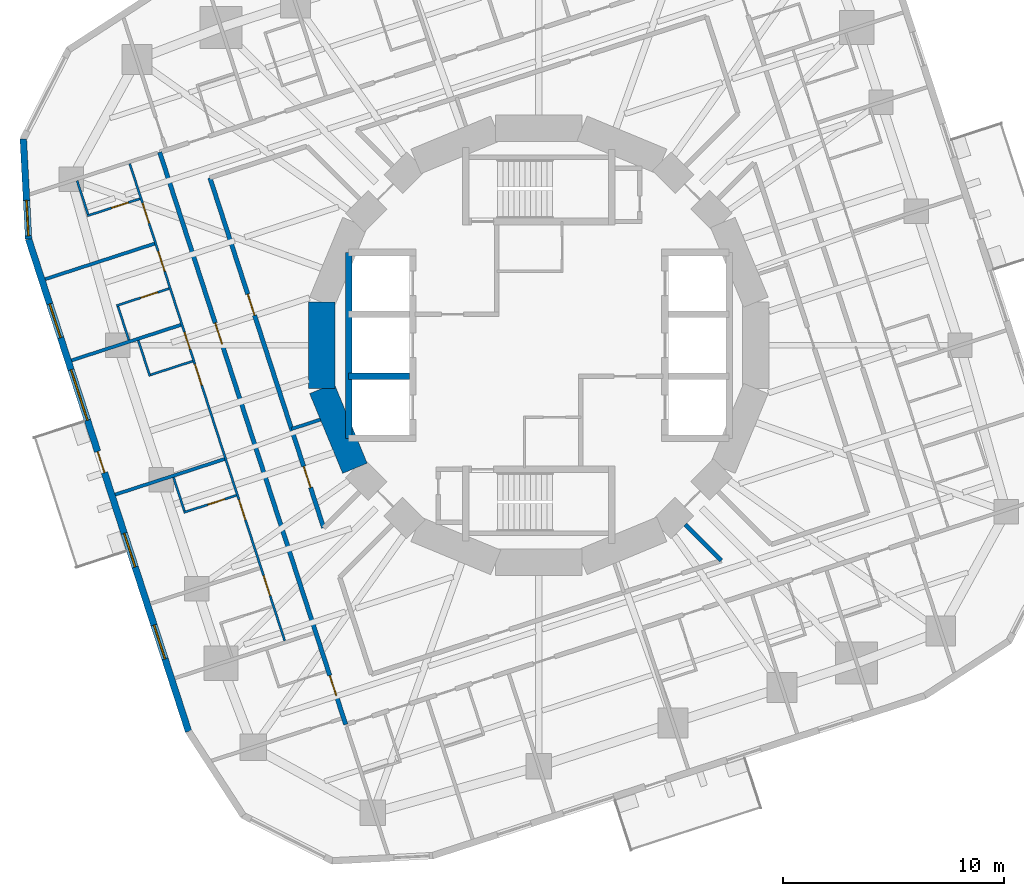
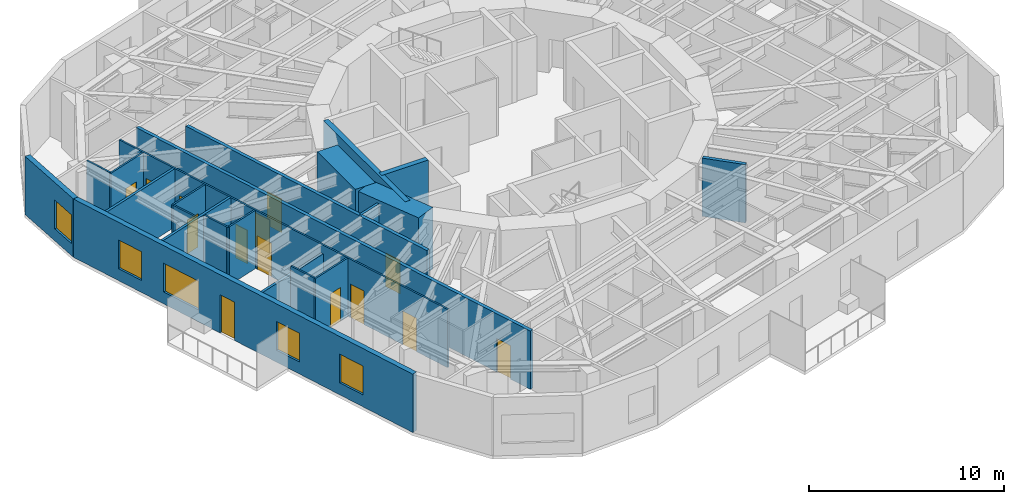
# One storey, part 5 of 12: 22 walls, 14 doors, 5 windows, 19 openings.
"""IFC4 building model written with IfcOpenShell, lengths in metres."""

from ifc_helpers import new_model, si_unit, direction, frame, frame_2d, origin, place, context, subcontext, project, spatial, rectangle, extrude, material, layer, layer_set, type_object, element, fill, save


model = new_model("IFC4")

# Units and contexts
model_context = context("Model", 3, precision=1e-05, world=origin(), true_north=direction((0.0, 1.0)))
body_context = subcontext(model_context, "Body", "Model", "MODEL_VIEW")
ifc_project = project(units=[si_unit("LENGTHUNIT", "METRE"), si_unit("AREAUNIT", "SQUARE_METRE"), si_unit("VOLUMEUNIT", "CUBIC_METRE"), si_unit("PLANEANGLEUNIT", "RADIAN"), si_unit("MASSUNIT", "GRAM", prefix="KILO")], contexts=[model_context])

# Site, building, storey
site_placement = place(None, origin())
site = spatial("IfcSite", under=ifc_project, at=site_placement, CompositionType="ELEMENT")
building_placement = place(site_placement, origin())
building = spatial("IfcBuilding", under=site, at=building_placement, Name="Nakasero Lantern House", CompositionType="ELEMENT")
storey_placement = place(building_placement, frame((0.0, 0.0, 172.60009765625)))
storey = spatial("IfcBuildingStorey", under=building, at=storey_placement, Name="L42", CompositionType="ELEMENT", Elevation=172.60009765625)

# Wall, openings, doors
ifc_material_1 = material(Name="Blockwork", Category="masonry")
ifc_layer_1 = layer(ifc_material_1, 0.10009765625)
ifc_layer_set_1 = layer_set([ifc_layer_1], Name="Cluster hall wall 100")
wall_type_1 = type_object("IfcWallType", Name="Cluster hall wall 100", PredefinedType="PARTITIONING", material=ifc_layer_set_1)
wall_1_placement = place(storey_placement, frame((-18.492919921875, 8.21240234375, 0.0), z_axis=(0.0, 0.0, 1.0), x_axis=(0.309014729931, -0.951057252055, 0.0)))
wall_1 = element("IfcWall", 1, at=wall_1_placement, inside=storey, type_object=wall_type_1, Name="Cluster hall wall L42 HW2-0", PredefinedType="PARTITIONING", context=body_context, shape_type="SweptSolid", body=[
    extrude(rectangle(XDim=22.67236328125, YDim=0.10009765625, at=frame_2d((11.336181640625, 0.0))), origin(), (0.0, 0.0, 1.0), 3.64990234375),
])
opening_1_placement = place(wall_1_placement, frame((9.532958984375, 0.0, 0.0)))
opening_1 = element("IfcOpeningElement", 2, at=opening_1_placement, cuts=wall_1, Name="Opening D03", PredefinedType="OPENING", context=body_context, shape_type="SweptSolid", body=[
    extrude(rectangle(XDim=1.0, YDim=2.10009765625, at=frame_2d((0.5, 1.050048828125))), frame((0.0, 0.070068359375, 0.0), z_axis=(0.0, -1.0, 0.0), x_axis=(1.0, 0.0, 0.0)), (0.0, 0.0, 1.0), 0.14013671875),
])
opening_2_placement = place(wall_1_placement, frame((8.01904296875, 0.0, 0.0)))
opening_2 = element("IfcOpeningElement", 3, at=opening_2_placement, cuts=wall_1, Name="Opening D02", PredefinedType="OPENING", context=body_context, shape_type="SweptSolid", body=[
    extrude(rectangle(XDim=0.800048828125, YDim=2.10009765625, at=frame_2d((0.39990234375, 1.050048828125))), frame((0.0, 0.070068359375, 0.0), z_axis=(0.0, -1.0, 0.0), x_axis=(1.0, 0.0, 0.0)), (0.0, 0.0, 1.0), 0.14013671875),
])
opening_3_placement = place(wall_1_placement, frame((1.875, 0.0, 0.0)))
opening_3 = element("IfcOpeningElement", 4, at=opening_3_placement, cuts=wall_1, Name="Opening D01", PredefinedType="OPENING", context=body_context, shape_type="SweptSolid", body=[
    extrude(rectangle(XDim=0.949951171875, YDim=2.10009765625, at=frame_2d((0.47509765625, 1.050048828125))), frame((0.0, 0.070068359375, 0.0), z_axis=(0.0, -1.0, 0.0), x_axis=(1.0, 0.0, 0.0)), (0.0, 0.0, 1.0), 0.14013671875),
])
opening_4_placement = place(wall_1_placement, frame((4.159423828125, 0.0, 0.0)))
opening_4 = element("IfcOpeningElement", 5, at=opening_4_placement, cuts=wall_1, Name="Opening D01", PredefinedType="OPENING", context=body_context, shape_type="SweptSolid", body=[
    extrude(rectangle(XDim=0.949951171875, YDim=2.10009765625, at=frame_2d((0.47509765625, 1.050048828125))), frame((0.0, 0.070068359375, 0.0), z_axis=(0.0, -1.0, 0.0), x_axis=(1.0, 0.0, 0.0)), (0.0, 0.0, 1.0), 0.14013671875),
])
opening_5_placement = place(wall_1_placement, frame((15.97216796875, 0.0, 0.0)))
opening_5 = element("IfcOpeningElement", 6, at=opening_5_placement, cuts=wall_1, Name="Opening D01", PredefinedType="OPENING", context=body_context, shape_type="SweptSolid", body=[
    extrude(rectangle(XDim=0.949951171875, YDim=2.10009765625, at=frame_2d((0.47509765625, 1.050048828125))), frame((0.0, 0.070068359375, 0.0), z_axis=(0.0, -1.0, 0.0), x_axis=(1.0, 0.0, 0.0)), (0.0, 0.0, 1.0), 0.14013671875),
])
opening_6_placement = place(wall_1_placement, frame((19.578125, 0.0, 0.0)))
opening_6 = element("IfcOpeningElement", 7, at=opening_6_placement, cuts=wall_1, Name="Opening D01", PredefinedType="OPENING", context=body_context, shape_type="SweptSolid", body=[
    extrude(rectangle(XDim=0.949951171875, YDim=2.10009765625, at=frame_2d((0.47509765625, 1.050048828125))), frame((0.0, 0.070068359375, 0.0), z_axis=(0.0, -1.0, 0.0), x_axis=(1.0, 0.0, 0.0)), (0.0, 0.0, 1.0), 0.14013671875),
])
ifc_material_2 = material(Name="Timber C24", Category="wood")
door_type_1 = type_object("IfcDoorType", Name="Bedroom door FD30S 950", OperationType="SINGLE_SWING_LEFT", PredefinedType="DOOR", material=ifc_material_2)
door_1_placement = place(opening_3_placement, origin())
door_1 = element("IfcDoor", 8, at=door_1_placement, inside=storey, type_object=door_type_1, Name="Door L42 D2-00", OperationType="SINGLE_SWING_LEFT", OverallHeight=2.10009765625, OverallWidth=0.949951171875, PredefinedType="DOOR", context=body_context, shape_type="SweptSolid", body=[
    extrude(rectangle(XDim=0.949951171875, YDim=2.10009765625, at=frame_2d((0.47509765625, 1.050048828125))), frame((0.0, 0.02490234375, 0.0), z_axis=(0.0, -1.0, 0.0), x_axis=(1.0, 0.0, 0.0)), (0.0, 0.0, 1.0), 0.050048828125),
])
fill(opening_3, door_1)
door_2_placement = place(opening_4_placement, origin())
door_2 = element("IfcDoor", 9, at=door_2_placement, inside=storey, type_object=door_type_1, Name="Door L42 D2-01", OperationType="SINGLE_SWING_LEFT", OverallHeight=2.10009765625, OverallWidth=0.949951171875, PredefinedType="DOOR", context=body_context, shape_type="SweptSolid", body=[
    extrude(rectangle(XDim=0.949951171875, YDim=2.10009765625, at=frame_2d((0.47509765625, 1.050048828125))), frame((0.0, 0.02490234375, 0.0), z_axis=(0.0, -1.0, 0.0), x_axis=(1.0, 0.0, 0.0)), (0.0, 0.0, 1.0), 0.050048828125),
])
fill(opening_4, door_2)
door_3_placement = place(opening_5_placement, origin())
door_3 = element("IfcDoor", 10, at=door_3_placement, inside=storey, type_object=door_type_1, Name="Door L42 D2-04", OperationType="SINGLE_SWING_RIGHT", OverallHeight=2.10009765625, OverallWidth=0.949951171875, PredefinedType="DOOR", context=body_context, shape_type="SweptSolid", body=[
    extrude(rectangle(XDim=0.949951171875, YDim=2.10009765625, at=frame_2d((0.47509765625, 1.050048828125))), frame((0.0, 0.02490234375, 0.0), z_axis=(0.0, -1.0, 0.0), x_axis=(1.0, 0.0, 0.0)), (0.0, 0.0, 1.0), 0.050048828125),
])
fill(opening_5, door_3)
door_4_placement = place(opening_6_placement, origin())
door_4 = element("IfcDoor", 11, at=door_4_placement, inside=storey, type_object=door_type_1, Name="Door L42 D2-05", OperationType="SINGLE_SWING_RIGHT", OverallHeight=2.10009765625, OverallWidth=0.949951171875, PredefinedType="DOOR", context=body_context, shape_type="SweptSolid", body=[
    extrude(rectangle(XDim=0.949951171875, YDim=2.10009765625, at=frame_2d((0.47509765625, 1.050048828125))), frame((0.0, 0.02490234375, 0.0), z_axis=(0.0, -1.0, 0.0), x_axis=(1.0, 0.0, 0.0)), (0.0, 0.0, 1.0), 0.050048828125),
])
fill(opening_6, door_4)
ifc_material_3 = material(Name="Timber C24", Category="wood")
door_type_2 = type_object("IfcDoorType", Name="En-suite door 800", OperationType="SINGLE_SWING_RIGHT", PredefinedType="DOOR", material=ifc_material_3)
door_5_placement = place(opening_2_placement, origin())
door_5 = element("IfcDoor", 12, at=door_5_placement, inside=storey, type_object=door_type_2, Name="Door L42 DSH2-0", OperationType="SINGLE_SWING_LEFT", OverallHeight=2.10009765625, OverallWidth=0.800048828125, PredefinedType="DOOR", context=body_context, shape_type="SweptSolid", body=[
    extrude(rectangle(XDim=0.800048828125, YDim=2.10009765625, at=frame_2d((0.39990234375, 1.050048828125))), frame((0.0, 0.02490234375, 0.0), z_axis=(0.0, -1.0, 0.0), x_axis=(1.0, 0.0, 0.0)), (0.0, 0.0, 1.0), 0.050048828125),
])
fill(opening_2, door_5)
ifc_material_4 = material(Name="Timber C24", Category="wood")
door_type_3 = type_object("IfcDoorType", Name="Lounge door FD30S 1000", OperationType="SINGLE_SWING_LEFT", PredefinedType="DOOR", material=ifc_material_4)
door_6_placement = place(opening_1_placement, origin())
door_6 = element("IfcDoor", 13, at=door_6_placement, inside=storey, type_object=door_type_3, Name="Door L42 DH2-0", OperationType="SINGLE_SWING_LEFT", OverallHeight=2.10009765625, OverallWidth=1.0, PredefinedType="DOOR", context=body_context, shape_type="SweptSolid", body=[
    extrude(rectangle(XDim=1.0, YDim=2.10009765625, at=frame_2d((0.5, 1.050048828125))), frame((0.0, 0.02490234375, 0.0), z_axis=(0.0, -1.0, 0.0), x_axis=(1.0, 0.0, 0.0)), (0.0, 0.0, 1.0), 0.050048828125),
])
fill(opening_1, door_6)

# Walls
ifc_material_5 = material(Name="Concrete C50/60", Category="concrete")
ifc_layer_2 = layer(ifc_material_5, 0.300048828125)
ifc_layer_set_2 = layer_set([ifc_layer_2], Name="Core inner wall 300")
wall_type_2 = type_object("IfcWallType", Name="Core inner wall 300", PredefinedType="SHEAR", material=ifc_layer_set_2)
wall_2_placement = place(storey_placement, frame((-8.60009765625, -4.199951171875, 0.0), z_axis=(0.0, 0.0, 1.0), x_axis=(0.0, 1.0, 0.0)))
element("IfcWall", 14, at=wall_2_placement, inside=storey, type_object=wall_type_2, Name="Core inner wall L42 LWB", PredefinedType="SHEAR", context=body_context, shape_type="SweptSolid", body=[
    extrude(rectangle(XDim=8.39990234375, YDim=0.300048828125, at=frame_2d((4.199951171875, 0.0))), origin(), (0.0, 0.0, 1.0), 3.849853515625),
])
wall_3_placement = place(storey_placement, frame((-8.60009765625, -1.39990234375, 0.0), z_axis=(0.0, 0.0, 1.0), x_axis=(1.0, 0.0, 0.0)))
element("IfcWall", 15, at=wall_3_placement, inside=storey, type_object=wall_type_2, Name="Core inner wall L42 LW1", PredefinedType="SHEAR", context=body_context, shape_type="SweptSolid", body=[
    extrude(rectangle(XDim=2.75, YDim=0.300048828125, at=frame_2d((1.375, 0.0))), origin(), (0.0, 0.0, 1.0), 3.849853515625),
])
ifc_material_6 = material(Name="Concrete C50/60", Category="concrete")
ifc_layer_3 = layer(ifc_material_6, 1.199951171875)
ifc_layer_set_3 = layer_set([ifc_layer_3], Name="Core wall 1200")
wall_type_3 = type_object("IfcWallType", Name="Core wall 1200", PredefinedType="SHEAR", material=ifc_layer_set_3)
for number, where, z_axis, x_axis, name in (
    (16, (-9.807861328125, 1.950927734375, 0.0), (0.0, 0.0, 1.0), (0.0, -1.0, 0.0), "Core wall L42 facet 8"),
    (17, (-9.807861328125, -1.950927734375, 0.0), (0.0, 0.0, 1.0), (0.382690736062, -0.923876507187, 0.0), "Core wall L42 facet 9"),
):
    element("IfcWall", number, at=place(storey_placement, frame(where, z_axis=z_axis, x_axis=x_axis)), inside=storey, type_object=wall_type_3, Name=name, PredefinedType="SHEAR", context=body_context, shape_type="SweptSolid", body=[
        extrude(rectangle(XDim=3.90185546875, YDim=1.199951171875, at=frame_2d((1.950927734375, 0.0))), origin(), (0.0, 0.0, 1.0), 3.849853515625),
    ])

# Wall, openings, doors
ifc_material_7 = material(Name="Blockwork", Category="masonry")
ifc_layer_4 = layer(ifc_material_7, 0.199951171875)
ifc_layer_set_4 = layer_set([ifc_layer_4], Name="Corridor wall 200")
wall_type_4 = type_object("IfcWallType", Name="Corridor wall 200", PredefinedType="PARTITIONING", material=ifc_layer_set_4)
wall_4_placement = place(storey_placement, frame((-17.136962890625, 8.731689453125, 0.0), z_axis=(0.0, 0.0, 1.0), x_axis=(0.309018283835, -0.951056097323, 0.0)))
wall_4 = element("IfcWall", 18, at=wall_4_placement, inside=storey, type_object=wall_type_4, Name="Corridor wall L42 CW2", PredefinedType="PARTITIONING", context=body_context, shape_type="SweptSolid", body=[
    extrude(rectangle(XDim=27.199951171875, YDim=0.199951171875, at=frame_2d((13.60009765625, 0.0))), origin(), (0.0, 0.0, 1.0), 3.64990234375),
])
opening_7_placement = place(wall_4_placement, frame((8.118896484375, 0.0, 0.0)))
opening_7 = element("IfcOpeningElement", 19, at=opening_7_placement, cuts=wall_4, Name="Opening D14", PredefinedType="OPENING", context=body_context, shape_type="SweptSolid", body=[
    extrude(rectangle(XDim=1.0, YDim=2.10009765625, at=frame_2d((0.5, 1.050048828125))), frame((0.0, 0.119873046875, 0.0), z_axis=(0.0, -1.0, 0.0), x_axis=(1.0, 0.0, 0.0)), (0.0, 0.0, 1.0), 0.239990234375),
])
opening_8_placement = place(wall_4_placement, frame((24.872314453125, 0.0, 0.0)))
opening_8 = element("IfcOpeningElement", 20, at=opening_8_placement, cuts=wall_4, Name="Opening D01", PredefinedType="OPENING", context=body_context, shape_type="SweptSolid", body=[
    extrude(rectangle(XDim=0.949951171875, YDim=2.10009765625, at=frame_2d((0.47509765625, 1.050048828125))), frame((0.0, 0.119873046875, 0.0), z_axis=(0.0, -1.0, 0.0), x_axis=(1.0, 0.0, 0.0)), (0.0, 0.0, 1.0), 0.239990234375),
])
door_7_placement = place(opening_8_placement, origin())
door_7 = element("IfcDoor", 21, at=door_7_placement, inside=storey, type_object=door_type_1, Name="Door L42 D2-06", OperationType="SINGLE_SWING_RIGHT", OverallHeight=2.10009765625, OverallWidth=0.949951171875, PredefinedType="DOOR", context=body_context, shape_type="SweptSolid", body=[
    extrude(rectangle(XDim=0.949951171875, YDim=2.10009765625, at=frame_2d((0.47509765625, 1.050048828125))), frame((0.0, 0.02490234375, 0.0), z_axis=(0.0, -1.0, 0.0), x_axis=(1.0, 0.0, 0.0)), (0.0, 0.0, 1.0), 0.050048828125),
])
fill(opening_8, door_7)
ifc_material_8 = material(Name="Timber C24", Category="wood")
door_type_4 = type_object("IfcDoorType", Name="Cluster entrance door FD30S 1000", OperationType="SINGLE_SWING_LEFT", PredefinedType="DOOR", material=ifc_material_8)
door_8_placement = place(opening_7_placement, origin())
door_8 = element("IfcDoor", 22, at=door_8_placement, inside=storey, type_object=door_type_4, Name="Door L42 DF2-0", OperationType="SINGLE_SWING_LEFT", OverallHeight=2.10009765625, OverallWidth=1.0, PredefinedType="DOOR", context=body_context, shape_type="SweptSolid", body=[
    extrude(rectangle(XDim=1.0, YDim=2.10009765625, at=frame_2d((0.5, 1.050048828125))), frame((0.0, 0.02490234375, 0.0), z_axis=(0.0, -1.0, 0.0), x_axis=(1.0, 0.0, 0.0)), (0.0, 0.0, 1.0), 0.050048828125),
])
fill(opening_7, door_8)

wall_5_placement = place(storey_placement, frame((-14.868896484375, 7.576171875, 0.0), z_axis=(0.0, 0.0, 1.0), x_axis=(0.309015049795, -0.951057148125, 0.0)))
wall_5 = element("IfcWall", 23, at=wall_5_placement, inside=storey, type_object=wall_type_4, Name="Corridor wall L42 IW2-0", PredefinedType="PARTITIONING", context=body_context, shape_type="SweptSolid", body=[
    extrude(rectangle(XDim=16.634033203125, YDim=0.199951171875, at=frame_2d((8.31689453125, 0.0))), origin(), (0.0, 0.0, 1.0), 3.64990234375),
])
opening_9_placement = place(wall_5_placement, frame((13.724365234375, 0.0, 0.0)))
opening_9 = element("IfcOpeningElement", 24, at=opening_9_placement, cuts=wall_5, Name="Opening D07", PredefinedType="OPENING", context=body_context, shape_type="SweptSolid", body=[
    extrude(rectangle(XDim=1.0, YDim=2.10009765625, at=frame_2d((0.5, 1.050048828125))), frame((0.0, 0.119873046875, 0.0), z_axis=(0.0, -1.0, 0.0), x_axis=(1.0, 0.0, 0.0)), (0.0, 0.0, 1.0), 0.239990234375),
])
opening_10_placement = place(wall_5_placement, frame((5.532470703125, 0.0, 0.0)))
opening_10 = element("IfcOpeningElement", 25, at=opening_10_placement, cuts=wall_5, Name="Opening D07", PredefinedType="OPENING", context=body_context, shape_type="SweptSolid", body=[
    extrude(rectangle(XDim=1.0, YDim=2.10009765625, at=frame_2d((0.5, 1.050048828125))), frame((0.0, 0.119873046875, 0.0), z_axis=(0.0, -1.0, 0.0), x_axis=(1.0, 0.0, 0.0)), (0.0, 0.0, 1.0), 0.239990234375),
])
ifc_material_9 = material(Name="Timber C24", Category="wood")
door_type_5 = type_object("IfcDoorType", Name="Room door FD30S 1000", OperationType="SINGLE_SWING_LEFT", PredefinedType="DOOR", material=ifc_material_9)
door_9_placement = place(opening_9_placement, origin())
door_9 = element("IfcDoor", 26, at=door_9_placement, inside=storey, type_object=door_type_5, Name="Door L42 DI1", OperationType="SINGLE_SWING_RIGHT", OverallHeight=2.10009765625, OverallWidth=1.0, PredefinedType="DOOR", context=body_context, shape_type="SweptSolid", body=[
    extrude(rectangle(XDim=1.0, YDim=2.10009765625, at=frame_2d((0.5, 1.050048828125))), frame((0.0, 0.02490234375, 0.0), z_axis=(0.0, -1.0, 0.0), x_axis=(1.0, 0.0, 0.0)), (0.0, 0.0, 1.0), 0.050048828125),
])
fill(opening_9, door_9)
door_10_placement = place(opening_10_placement, origin())
door_10 = element("IfcDoor", 27, at=door_10_placement, inside=storey, type_object=door_type_5, Name="Door L42 DI7", OperationType="SINGLE_SWING_LEFT", OverallHeight=2.10009765625, OverallWidth=1.0, PredefinedType="DOOR", context=body_context, shape_type="SweptSolid", body=[
    extrude(rectangle(XDim=1.0, YDim=2.10009765625, at=frame_2d((0.5, 1.050048828125))), frame((0.0, 0.02490234375, 0.0), z_axis=(0.0, -1.0, 0.0), x_axis=(1.0, 0.0, 0.0)), (0.0, 0.0, 1.0), 0.050048828125),
])
fill(opening_10, door_10)

# Walls
wall_6_placement = place(storey_placement, frame((6.616943359375, -8.101806640625, 0.0), z_axis=(0.0, 0.0, 1.0), x_axis=(0.707053720985, -0.707159837407, 0.0)))
element("IfcWall", 28, at=wall_6_placement, inside=storey, type_object=wall_type_4, Name="Corridor wall L42 PS14b", PredefinedType="PARTITIONING", context=body_context, shape_type="SweptSolid", body=[
    extrude(rectangle(XDim=2.30078125, YDim=0.199951171875, at=frame_2d((1.150390625, 0.0))), origin(), (0.0, 0.0, 1.0), 3.64990234375),
])
ifc_material_10 = material(Name="Blockwork", Category="masonry")
ifc_layer_5 = layer(ifc_material_10, 0.10009765625)
ifc_layer_set_5 = layer_set([ifc_layer_5], Name="En-suite wall 100")
wall_type_5 = type_object("IfcWallType", Name="En-suite wall 100", PredefinedType="PARTITIONING", material=ifc_layer_set_5)
wall_7_placement = place(storey_placement, frame((-15.645263671875, -0.713623046875, 0.0), z_axis=(0.0, 0.0, 1.0), x_axis=(-0.951062257173, -0.308999325213, 0.0)))
element("IfcWall", 29, at=wall_7_placement, inside=storey, type_object=wall_type_5, Name="En-suite wall L42 SS2-0", PredefinedType="PARTITIONING", context=body_context, shape_type="SweptSolid", body=[
    extrude(rectangle(XDim=2.10009765625, YDim=0.10009765625, at=frame_2d((1.050048828125, 0.0))), origin(), (0.0, 0.0, 1.0), 3.64990234375),
])
wall_8_placement = place(storey_placement, frame((-18.104736328125, 0.22216796875, 0.0), z_axis=(0.0, 0.0, 1.0), x_axis=(0.309066587596, -0.951040401051, 0.0)))
element("IfcWall", 30, at=wall_8_placement, inside=storey, type_object=wall_type_5, Name="En-suite wall L42 SE2-0", PredefinedType="PARTITIONING", context=body_context, shape_type="SweptSolid", body=[
    extrude(rectangle(XDim=1.699951171875, YDim=0.10009765625, at=frame_2d((0.85009765625, 0.0))), origin(), (0.0, 0.0, 1.0), 3.64990234375),
])

# Wall, opening, door
wall_9_placement = place(storey_placement, frame((-18.030517578125, 6.627685546875, 0.0), z_axis=(0.0, 0.0, 1.0), x_axis=(-0.951039092003, -0.309070615688, 0.0)))
wall_9 = element("IfcWall", 31, at=wall_9_placement, inside=storey, type_object=wall_type_5, Name="En-suite wall L42 ES2-00", PredefinedType="PARTITIONING", context=body_context, shape_type="SweptSolid", body=[
    extrude(rectangle(XDim=2.5, YDim=0.10009765625, at=frame_2d((1.25, 0.0))), origin(), (0.0, 0.0, 1.0), 3.64990234375),
])
opening_11_placement = place(wall_9_placement, frame((0.550048828125, 0.0, 0.0)))
opening_11 = element("IfcOpeningElement", 32, at=opening_11_placement, cuts=wall_9, Name="Opening D02", PredefinedType="OPENING", context=body_context, shape_type="SweptSolid", body=[
    extrude(rectangle(XDim=0.800048828125, YDim=2.10009765625, at=frame_2d((0.39990234375, 1.050048828125))), frame((0.0, 0.070068359375, 0.0), z_axis=(0.0, -1.0, 0.0), x_axis=(1.0, 0.0, 0.0)), (0.0, 0.0, 1.0), 0.14013671875),
])
door_11_placement = place(opening_11_placement, origin())
door_11 = element("IfcDoor", 33, at=door_11_placement, inside=storey, type_object=door_type_2, Name="Door L42 DE2-00", OperationType="SINGLE_SWING_LEFT", OverallHeight=2.10009765625, OverallWidth=0.800048828125, PredefinedType="DOOR", context=body_context, shape_type="SweptSolid", body=[
    extrude(rectangle(XDim=0.800048828125, YDim=2.10009765625, at=frame_2d((0.39990234375, 1.050048828125))), frame((0.0, 0.02490234375, 0.0), z_axis=(0.0, -1.0, 0.0), x_axis=(1.0, 0.0, 0.0)), (0.0, 0.0, 1.0), 0.050048828125),
])
fill(opening_11, door_11)

# Wall
wall_10_placement = place(storey_placement, frame((-20.87060546875, 7.439697265625, 0.0), z_axis=(0.0, 0.0, 1.0), x_axis=(0.309168884398, -0.951007150825, 0.0)))
element("IfcWall", 34, at=wall_10_placement, inside=storey, type_object=wall_type_5, Name="En-suite wall L42 EE2-00", PredefinedType="PARTITIONING", context=body_context, shape_type="SweptSolid", body=[
    extrude(rectangle(XDim=1.599853515625, YDim=0.10009765625, at=frame_2d((0.7998046875, 0.0))), origin(), (0.0, 0.0, 1.0), 3.64990234375),
])

# Wall, opening, door
wall_11_placement = place(storey_placement, frame((-16.71142578125, 2.567626953125, 0.0), z_axis=(0.0, 0.0, 1.0), x_axis=(-0.951067792613, -0.308982287281, 0.0)))
wall_11 = element("IfcWall", 35, at=wall_11_placement, inside=storey, type_object=wall_type_5, Name="En-suite wall L42 ES2-01", PredefinedType="PARTITIONING", context=body_context, shape_type="SweptSolid", body=[
    extrude(rectangle(XDim=2.5, YDim=0.10009765625, at=frame_2d((1.25, 0.0))), origin(), (0.0, 0.0, 1.0), 3.64990234375),
])
opening_12_placement = place(wall_11_placement, frame((0.550048828125, 0.0, 0.0)))
opening_12 = element("IfcOpeningElement", 36, at=opening_12_placement, cuts=wall_11, Name="Opening D02", PredefinedType="OPENING", context=body_context, shape_type="SweptSolid", body=[
    extrude(rectangle(XDim=0.800048828125, YDim=2.10009765625, at=frame_2d((0.39990234375, 1.050048828125))), frame((0.0, 0.070068359375, 0.0), z_axis=(0.0, -1.0, 0.0), x_axis=(1.0, 0.0, 0.0)), (0.0, 0.0, 1.0), 0.14013671875),
])
door_12_placement = place(opening_12_placement, origin())
door_12 = element("IfcDoor", 37, at=door_12_placement, inside=storey, type_object=door_type_2, Name="Door L42 DE2-01", OperationType="SINGLE_SWING_LEFT", OverallHeight=2.10009765625, OverallWidth=0.800048828125, PredefinedType="DOOR", context=body_context, shape_type="SweptSolid", body=[
    extrude(rectangle(XDim=0.800048828125, YDim=2.10009765625, at=frame_2d((0.39990234375, 1.050048828125))), frame((0.0, 0.02490234375, 0.0), z_axis=(0.0, -1.0, 0.0), x_axis=(1.0, 0.0, 0.0)), (0.0, 0.0, 1.0), 0.050048828125),
])
fill(opening_12, door_12)

# Wall
wall_12_placement = place(storey_placement, frame((-19.02587890625, 1.762939453125, 0.0), z_axis=(0.0, 0.0, 1.0), x_axis=(0.308986014439, -0.951066581729, 0.0)))
element("IfcWall", 38, at=wall_12_placement, inside=storey, type_object=wall_type_5, Name="En-suite wall L42 EE2-01", PredefinedType="PARTITIONING", context=body_context, shape_type="SweptSolid", body=[
    extrude(rectangle(XDim=1.60009765625, YDim=0.10009765625, at=frame_2d((0.800048828125, 0.0))), origin(), (0.0, 0.0, 1.0), 3.64990234375),
])

# Wall, opening, door
wall_13_placement = place(storey_placement, frame((-13.67431640625, -6.779541015625, 0.0), z_axis=(0.0, 0.0, 1.0), x_axis=(-0.951067792613, -0.308982287281, 0.0)))
wall_13 = element("IfcWall", 39, at=wall_13_placement, inside=storey, type_object=wall_type_5, Name="En-suite wall L42 ES2-04", PredefinedType="PARTITIONING", context=body_context, shape_type="SweptSolid", body=[
    extrude(rectangle(XDim=2.5, YDim=0.10009765625, at=frame_2d((1.25, 0.0))), origin(), (0.0, 0.0, 1.0), 3.64990234375),
])
opening_13_placement = place(wall_13_placement, frame((0.550048828125, 0.0, 0.0)))
opening_13 = element("IfcOpeningElement", 40, at=opening_13_placement, cuts=wall_13, Name="Opening D02", PredefinedType="OPENING", context=body_context, shape_type="SweptSolid", body=[
    extrude(rectangle(XDim=0.800048828125, YDim=2.10009765625, at=frame_2d((0.39990234375, 1.050048828125))), frame((0.0, 0.070068359375, 0.0), z_axis=(0.0, -1.0, 0.0), x_axis=(1.0, 0.0, 0.0)), (0.0, 0.0, 1.0), 0.14013671875),
])
door_13_placement = place(opening_13_placement, origin())
door_13 = element("IfcDoor", 41, at=door_13_placement, inside=storey, type_object=door_type_2, Name="Door L42 DE2-04", OperationType="SINGLE_SWING_LEFT", OverallHeight=2.10009765625, OverallWidth=0.800048828125, PredefinedType="DOOR", context=body_context, shape_type="SweptSolid", body=[
    extrude(rectangle(XDim=0.800048828125, YDim=2.10009765625, at=frame_2d((0.39990234375, 1.050048828125))), frame((0.0, 0.02490234375, 0.0), z_axis=(0.0, -1.0, 0.0), x_axis=(1.0, 0.0, 0.0)), (0.0, 0.0, 1.0), 0.050048828125),
])
fill(opening_13, door_13)

# Wall
wall_14_placement = place(storey_placement, frame((-16.51416015625, -5.96728515625, 0.0), z_axis=(0.0, 0.0, 1.0), x_axis=(0.308986014439, -0.951066581729, 0.0)))
element("IfcWall", 42, at=wall_14_placement, inside=storey, type_object=wall_type_5, Name="En-suite wall L42 EE2-04", PredefinedType="PARTITIONING", context=body_context, shape_type="SweptSolid", body=[
    extrude(rectangle(XDim=1.60009765625, YDim=0.10009765625, at=frame_2d((0.800048828125, 0.0))), origin(), (0.0, 0.0, 1.0), 3.64990234375),
])

# Wall, opening, window
ifc_material_11 = material(Name="Aluminium rainscreen on blockwork", Category="masonry")
ifc_layer_6 = layer(ifc_material_11, 0.300048828125)
ifc_layer_set_6 = layer_set([ifc_layer_6], Name="Facade wall 300")
wall_type_6 = type_object("IfcWallType", Name="Facade wall 300", PredefinedType="SOLIDWALL", material=ifc_layer_set_6)
wall_15_placement = place(storey_placement, frame((-23.3017578125, 9.3310546875, 0.0), z_axis=(0.0, 0.0, 1.0), x_axis=(0.052338164079, -0.998629419044, 0.0)))
wall_15 = element("IfcWall", 43, at=wall_15_placement, inside=storey, type_object=wall_type_6, Name="Facade wall L42 FW1C3", PredefinedType="SOLIDWALL", context=body_context, shape_type="SweptSolid", body=[
    extrude(rectangle(XDim=4.529296875, YDim=0.300048828125, at=frame_2d((2.2646484375, 0.0))), origin(), (0.0, 0.0, 1.0), 3.64990234375),
])
opening_14_placement = place(wall_15_placement, frame((2.784912109375, 0.0, 0.75)))
opening_14 = element("IfcOpeningElement", 44, at=opening_14_placement, cuts=wall_15, Name="Opening W01", PredefinedType="OPENING", context=body_context, shape_type="SweptSolid", body=[
    extrude(rectangle(XDim=1.60009765625, YDim=1.800048828125, at=frame_2d((0.800048828125, 0.89990234375))), frame((0.0, 0.169921875, 0.0), z_axis=(0.0, -1.0, 0.0), x_axis=(1.0, 0.0, 0.0)), (0.0, 0.0, 1.0), 0.340087890625),
])
ifc_material_12 = material(Name="Aluminium 6063-T6 and glass", Category="aluminium")
window_type_1 = type_object("IfcWindowType", Name="Bedroom window 1600x1800", PartitioningType="SINGLE_PANEL", PredefinedType="WINDOW", material=ifc_material_12)
window_1_placement = place(opening_14_placement, origin())
window_1 = element("IfcWindow", 45, at=window_1_placement, inside=storey, type_object=window_type_1, Name="Window L42 WN2-00", OverallHeight=1.800048828125, OverallWidth=1.60009765625, PartitioningType="SINGLE_PANEL", PredefinedType="WINDOW", context=body_context, shape_type="SweptSolid", body=[
    extrude(rectangle(XDim=1.60009765625, YDim=1.800048828125, at=frame_2d((0.800048828125, 0.89990234375))), frame((0.0, 0.030029296875, 0.0), z_axis=(0.0, -1.0, 0.0), x_axis=(1.0, 0.0, 0.0)), (0.0, 0.0, 1.0), 0.06005859375),
])
fill(opening_14, window_1)

# Wall, openings, door, windows
wall_16_placement = place(storey_placement, frame((-23.064697265625, 4.807861328125, 0.0), z_axis=(0.0, 0.0, 1.0), x_axis=(0.30902591324, -0.951053618334, 0.0)))
wall_16 = element("IfcWall", 46, at=wall_16_placement, inside=storey, type_object=wall_type_6, Name="Facade wall L42 FW2S", PredefinedType="SOLIDWALL", context=body_context, shape_type="SweptSolid", body=[
    extrude(rectangle(XDim=23.39990234375, YDim=0.300048828125, at=frame_2d((11.699951171875, 0.0))), origin(), (0.0, 0.0, 1.0), 3.64990234375),
])
opening_15_placement = place(wall_16_placement, frame((3.089111328125, 0.0, 0.75)))
opening_15 = element("IfcOpeningElement", 47, at=opening_15_placement, cuts=wall_16, Name="Opening W01", PredefinedType="OPENING", context=body_context, shape_type="SweptSolid", body=[
    extrude(rectangle(XDim=1.60009765625, YDim=1.800048828125, at=frame_2d((0.800048828125, 0.89990234375))), frame((0.0, 0.169921875, 0.0), z_axis=(0.0, -1.0, 0.0), x_axis=(1.0, 0.0, 0.0)), (0.0, 0.0, 1.0), 0.340087890625),
])
opening_16_placement = place(wall_16_placement, frame((13.987548828125, 0.0, 0.75)))
opening_16 = element("IfcOpeningElement", 48, at=opening_16_placement, cuts=wall_16, Name="Opening W01", PredefinedType="OPENING", context=body_context, shape_type="SweptSolid", body=[
    extrude(rectangle(XDim=1.60009765625, YDim=1.800048828125, at=frame_2d((0.800048828125, 0.89990234375))), frame((0.0, 0.169921875, 0.0), z_axis=(0.0, -1.0, 0.0), x_axis=(1.0, 0.0, 0.0)), (0.0, 0.0, 1.0), 0.340087890625),
])
opening_17_placement = place(wall_16_placement, frame((18.350341796875, 0.0, 0.75)))
opening_17 = element("IfcOpeningElement", 49, at=opening_17_placement, cuts=wall_16, Name="Opening W01", PredefinedType="OPENING", context=body_context, shape_type="SweptSolid", body=[
    extrude(rectangle(XDim=1.60009765625, YDim=1.800048828125, at=frame_2d((0.800048828125, 0.89990234375))), frame((0.0, 0.169921875, 0.0), z_axis=(0.0, -1.0, 0.0), x_axis=(1.0, 0.0, 0.0)), (0.0, 0.0, 1.0), 0.340087890625),
])
opening_18_placement = place(wall_16_placement, frame((6.21337890625, 0.0, 0.75)))
opening_18 = element("IfcOpeningElement", 50, at=opening_18_placement, cuts=wall_16, Name="Opening W03", PredefinedType="OPENING", context=body_context, shape_type="SweptSolid", body=[
    extrude(rectangle(XDim=2.39990234375, YDim=1.800048828125, at=frame_2d((1.199951171875, 0.89990234375))), frame((0.0, 0.169921875, 0.0), z_axis=(0.0, -1.0, 0.0), x_axis=(1.0, 0.0, 0.0)), (0.0, 0.0, 1.0), 0.340087890625),
])
opening_19_placement = place(wall_16_placement, frame((10.1025390625, 0.0, 0.0)))
opening_19 = element("IfcOpeningElement", 51, at=opening_19_placement, cuts=wall_16, Name="Opening D04", PredefinedType="OPENING", context=body_context, shape_type="SweptSolid", body=[
    extrude(rectangle(XDim=1.0, YDim=2.39990234375, at=frame_2d((0.5, 1.199951171875))), frame((0.0, 0.169921875, 0.0), z_axis=(0.0, -1.0, 0.0), x_axis=(1.0, 0.0, 0.0)), (0.0, 0.0, 1.0), 0.340087890625),
])
ifc_material_13 = material(Name="Aluminium 6063-T6 and glass", Category="aluminium")
door_type_6 = type_object("IfcDoorType", Name="Balcony door 1000x2400", OperationType="SINGLE_SWING_RIGHT", PredefinedType="DOOR", material=ifc_material_13)
door_14_placement = place(opening_19_placement, origin())
door_14 = element("IfcDoor", 52, at=door_14_placement, inside=storey, type_object=door_type_6, Name="Balcony door L42 DB2", OperationType="SINGLE_SWING_RIGHT", OverallHeight=2.39990234375, OverallWidth=1.0, PredefinedType="DOOR", context=body_context, shape_type="SweptSolid", body=[
    extrude(rectangle(XDim=1.0, YDim=2.39990234375, at=frame_2d((0.5, 1.199951171875))), frame((0.0, 0.02490234375, 0.0), z_axis=(0.0, -1.0, 0.0), x_axis=(1.0, 0.0, 0.0)), (0.0, 0.0, 1.0), 0.050048828125),
])
fill(opening_19, door_14)
window_2_placement = place(opening_15_placement, origin())
window_2 = element("IfcWindow", 53, at=window_2_placement, inside=storey, type_object=window_type_1, Name="Window L42 WN2-01", OverallHeight=1.800048828125, OverallWidth=1.60009765625, PartitioningType="SINGLE_PANEL", PredefinedType="WINDOW", context=body_context, shape_type="SweptSolid", body=[
    extrude(rectangle(XDim=1.60009765625, YDim=1.800048828125, at=frame_2d((0.800048828125, 0.89990234375))), frame((0.0, 0.030029296875, 0.0), z_axis=(0.0, -1.0, 0.0), x_axis=(1.0, 0.0, 0.0)), (0.0, 0.0, 1.0), 0.06005859375),
])
fill(opening_15, window_2)
window_3_placement = place(opening_16_placement, origin())
window_3 = element("IfcWindow", 54, at=window_3_placement, inside=storey, type_object=window_type_1, Name="Window L42 WN2-04", OverallHeight=1.800048828125, OverallWidth=1.60009765625, PartitioningType="SINGLE_PANEL", PredefinedType="WINDOW", context=body_context, shape_type="SweptSolid", body=[
    extrude(rectangle(XDim=1.60009765625, YDim=1.800048828125, at=frame_2d((0.800048828125, 0.89990234375))), frame((0.0, 0.030029296875, 0.0), z_axis=(0.0, -1.0, 0.0), x_axis=(1.0, 0.0, 0.0)), (0.0, 0.0, 1.0), 0.06005859375),
])
fill(opening_16, window_3)
window_4_placement = place(opening_17_placement, origin())
window_4 = element("IfcWindow", 55, at=window_4_placement, inside=storey, type_object=window_type_1, Name="Window L42 WN2-05", OverallHeight=1.800048828125, OverallWidth=1.60009765625, PartitioningType="SINGLE_PANEL", PredefinedType="WINDOW", context=body_context, shape_type="SweptSolid", body=[
    extrude(rectangle(XDim=1.60009765625, YDim=1.800048828125, at=frame_2d((0.800048828125, 0.89990234375))), frame((0.0, 0.030029296875, 0.0), z_axis=(0.0, -1.0, 0.0), x_axis=(1.0, 0.0, 0.0)), (0.0, 0.0, 1.0), 0.06005859375),
])
fill(opening_17, window_4)
ifc_material_14 = material(Name="Aluminium 6063-T6 and glass", Category="aluminium")
window_type_2 = type_object("IfcWindowType", Name="Lounge window 2400x1800", PartitioningType="SINGLE_PANEL", PredefinedType="WINDOW", material=ifc_material_14)
window_5_placement = place(opening_18_placement, origin())
window_5 = element("IfcWindow", 56, at=window_5_placement, inside=storey, type_object=window_type_2, Name="Window L42 WK2", OverallHeight=1.800048828125, OverallWidth=2.39990234375, PartitioningType="SINGLE_PANEL", PredefinedType="WINDOW", context=body_context, shape_type="SweptSolid", body=[
    extrude(rectangle(XDim=2.39990234375, YDim=1.800048828125, at=frame_2d((1.199951171875, 0.89990234375))), frame((0.0, 0.030029296875, 0.0), z_axis=(0.0, -1.0, 0.0), x_axis=(1.0, 0.0, 0.0)), (0.0, 0.0, 1.0), 0.06005859375),
])
fill(opening_18, window_5)

# Walls
ifc_material_15 = material(Name="Blockwork", Category="masonry")
ifc_layer_7 = layer(ifc_material_15, 0.14990234375)
ifc_layer_set_7 = layer_set([ifc_layer_7], Name="Party wall 150")
wall_type_7 = type_object("IfcWallType", Name="Party wall 150", PredefinedType="PARTITIONING", material=ifc_layer_set_7)
for number, where, z_axis, x_axis, name in (
    (57, (-17.370849609375, 4.59765625, 0.0), (0.0, 0.0, 1.0), (-0.951055112834, -0.309021313752, 0.0), "Party wall L42 PW2-01"),
    (58, (-16.17822265625, 0.927001953125, 0.0), (0.0, 0.0, 1.0), (-0.951055112834, -0.309021313752, 0.0), "Party wall L42 PW2-02"),
):
    element("IfcWall", number, at=place(storey_placement, frame(where, z_axis=z_axis, x_axis=x_axis)), inside=storey, type_object=wall_type_7, Name=name, PredefinedType="PARTITIONING", context=body_context, shape_type="SweptSolid", body=[
        extrude(rectangle(XDim=5.2001953125, YDim=0.14990234375, at=frame_2d((2.60009765625, 0.0))), origin(), (0.0, 0.0, 1.0), 3.64990234375),
    ])
wall_17_placement = place(storey_placement, frame((-14.207275390625, -5.138916015625, 0.0), z_axis=(0.0, 0.0, 1.0), x_axis=(-0.951055112834, -0.309021313752, 0.0)))
element("IfcWall", 59, at=wall_17_placement, inside=storey, type_object=wall_type_7, Name="Party wall L42 PW2-04", PredefinedType="PARTITIONING", context=body_context, shape_type="SweptSolid", body=[
    extrude(rectangle(XDim=5.2001953125, YDim=0.14990234375, at=frame_2d((2.60009765625, 0.0))), origin(), (0.0, 0.0, 1.0), 3.11328125),
])
wall_18_placement = place(storey_placement, frame((-11.17919921875, -3.779541015625, 0.0), z_axis=(0.0, 0.0, 1.0), x_axis=(0.951077243429, 0.308953195535, 0.0)))
element("IfcWall", 60, at=wall_18_placement, inside=storey, type_object=wall_type_7, Name="Party wall L42 IM2", PredefinedType="PARTITIONING", context=body_context, shape_type="SweptSolid", body=[
    extrude(rectangle(XDim=1.37109375, YDim=0.14990234375, at=frame_2d((0.685546875, 0.0))), origin(), (0.0, 0.0, 1.0), 3.64990234375),
])

save(model, "model.ifc")
